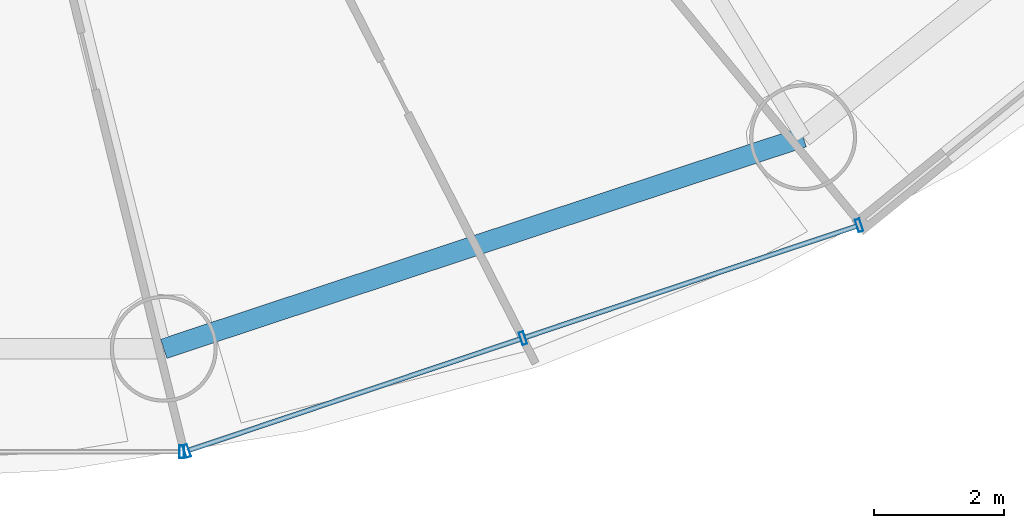
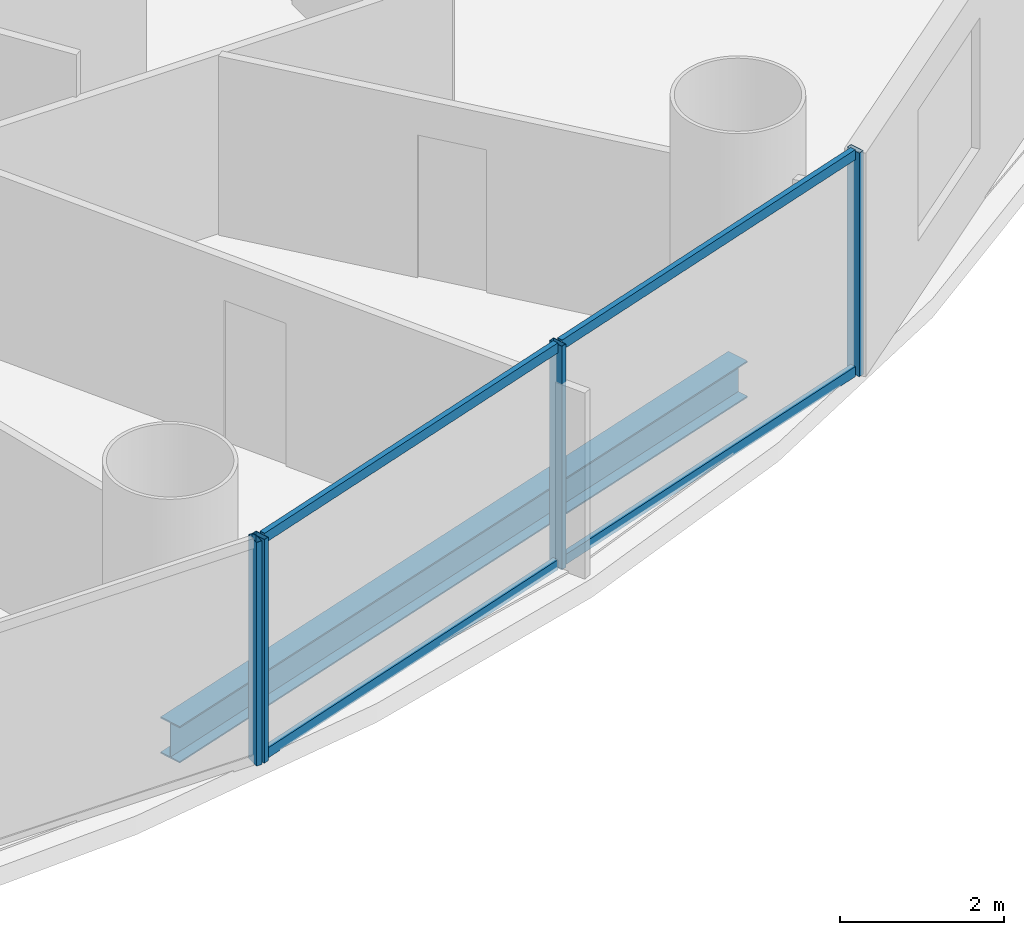
# One storey, part 11 of 30: 8 members, 1 beam, 2 elements without a shape of their own.
"""IFC4 building model written with IfcOpenShell, lengths in metres."""

from ifc_helpers import new_model, si_unit, direction, frame, origin, origin_2d, place, context, subcontext, project, spatial, hollow_rectangle, i_section, extrude, source, transform, mapped, material, material_profile, profile_set, type_object, element, aggregate, save


model = new_model("IFC4")

# Units and contexts
model_context = context("Model", 3, precision=1e-05, world=origin(), true_north=direction((-0.2419218956, 0.970295726276)))
body_context = subcontext(model_context, "Body", "Model", "MODEL_VIEW")
ifc_project = project(units=[si_unit("LENGTHUNIT", "METRE"), si_unit("AREAUNIT", "SQUARE_METRE"), si_unit("VOLUMEUNIT", "CUBIC_METRE"), si_unit("PLANEANGLEUNIT", "RADIAN"), si_unit("MASSUNIT", "GRAM", prefix="KILO")], contexts=[model_context])

# Site, building, storey
site_placement = place(None, origin())
site = spatial("IfcSite", under=ifc_project, at=site_placement, CompositionType="ELEMENT")
building_placement = place(site_placement, origin())
building = spatial("IfcBuilding", under=site, at=building_placement, Name="Cobrevalo Terracotta Tower", CompositionType="ELEMENT")
storey_placement = place(building_placement, frame((0.0, 0.0, 63.60009765625)))
storey = spatial("IfcBuildingStorey", under=building, at=storey_placement, Name="L16", CompositionType="ELEMENT", Elevation=63.60009765625)

# Beam
ifc_material_1 = material(Name="Steel S355", Category="steel")
ifc_material_profile_1 = material_profile(ifc_material_1, i_section(OverallWidth=0.31201171875, OverallDepth=0.54296875, WebThickness=0.0126953125, FlangeThickness=0.020263671875, at=origin_2d()), Name="W 530x150")
ifc_profile_set_1 = profile_set([ifc_material_profile_1], Name="Steel S355")
beam_type = type_object("IfcBeamType", Name="Structural Spandrel W 530x150 (Steel S355)", PredefinedType="SPANDREL", material=ifc_profile_set_1)
beam_placement = place(storey_placement, frame((43.335693359375, 5.369873046875, -0.551513671875), z_axis=(0.949372202648, 0.314153498848, 0.0), x_axis=(-0.314153498848, 0.949372202648, 0.0)))
element("IfcBeam", 1, at=beam_placement, inside=storey, type_object=beam_type, Name="L16 perimeter ring spandrel 13", PredefinedType="SPANDREL", context=body_context, shape_type="SweptSolid", body=[
    extrude(i_section(OverallWidth=0.31201171875, OverallDepth=0.54296875, WebThickness=0.0126953125, FlangeThickness=0.020263671875, at=origin_2d()), origin(), (0.0, 0.0, 1.0), 10.385009765625),
])

# Curtain wall, members
ifc_material_2 = material(Name="Anodized aluminium", Category="aluminium")
curtain_wall_type = type_object("IfcCurtainWallType", Name="Lower-tower unitised acoustic low-E curtain wall CW-U1", PredefinedType="NOTDEFINED", material=ifc_material_2)
curtain_wall_1_placement = place(storey_placement, origin())
curtain_wall_1 = element("IfcCurtainWall", 2, at=curtain_wall_1_placement, inside=storey, type_object=curtain_wall_type, Name="L16 curtain wall CW-L16-S13", PredefinedType="NOTDEFINED")
ifc_material_profile_2 = material_profile(ifc_material_2, hollow_rectangle(XDim=0.074951171875, YDim=0.14990234375, WallThickness=0.00439453125, at=origin_2d()), Name="CWT 75x150")
ifc_profile_set_2 = profile_set([ifc_material_profile_2], Name="Anodized aluminium")
member_type_1 = type_object("IfcMemberType", Name="Tower unitised aluminium transom 75x150", PredefinedType="USERDEFINED", material=ifc_profile_set_2)
shared_shape_1 = source(origin(), body_context, "Body", "SweptSolid", [
    extrude(hollow_rectangle(XDim=0.074951171875, YDim=0.14990234375, WallThickness=0.00439453125, at=origin_2d()), origin(), (0.0, 0.0, 1.0), 5.387939453125),
])
member_1_placement = place(storey_placement, frame((43.7275390625, 3.806396484375, 0.0498046875), z_axis=(0.94804244582, 0.318143868278, 0.0), x_axis=(-0.318143868278, 0.94804244582, 0.0)))
member_1 = element("IfcMember", 3, at=member_1_placement, type_object=member_type_1, Name="CW-L16-S13 transom B01-T1", ObjectType="TRANSOM", PredefinedType="USERDEFINED", context=body_context, shape_type="MappedRepresentation", body=[
    mapped(shared_shape_1, transform((0.0, 0.0, 0.0), scale=1.0)),
])
member_2_placement = place(storey_placement, frame((43.7275390625, 3.806396484375, 3.27001953125), z_axis=(0.94804244582, 0.318143868278, 0.0), x_axis=(-0.318143868278, 0.94804244582, 0.0)))
member_2 = element("IfcMember", 4, at=member_2_placement, type_object=member_type_1, Name="CW-L16-S13 transom B01-T2", ObjectType="TRANSOM", PredefinedType="USERDEFINED", context=body_context, shape_type="MappedRepresentation", body=[
    mapped(shared_shape_1, transform((0.0, 0.0, 0.0), scale=1.0)),
])
member_3_placement = place(storey_placement, frame((48.9111328125, 5.5458984375, 0.0498046875), z_axis=(0.94804244582, 0.318143868278, 0.0), x_axis=(-0.318143868278, 0.94804244582, 0.0)))
member_3 = element("IfcMember", 5, at=member_3_placement, type_object=member_type_1, Name="CW-L16-S13 transom B02-T1", ObjectType="TRANSOM", PredefinedType="USERDEFINED", context=body_context, shape_type="MappedRepresentation", body=[
    mapped(shared_shape_1, transform((0.0, 0.0, 0.0), scale=1.0)),
])
member_4_placement = place(storey_placement, frame((48.9111328125, 5.5458984375, 3.27001953125), z_axis=(0.94804244582, 0.318143868278, 0.0), x_axis=(-0.318143868278, 0.94804244582, 0.0)))
member_4 = element("IfcMember", 6, at=member_4_placement, type_object=member_type_1, Name="CW-L16-S13 transom B02-T2", ObjectType="TRANSOM", PredefinedType="USERDEFINED", context=body_context, shape_type="MappedRepresentation", body=[
    mapped(shared_shape_1, transform((0.0, 0.0, 0.0), scale=1.0)),
])

# Curtain wall, member
curtain_wall_2_placement = place(storey_placement, origin())
curtain_wall_2 = element("IfcCurtainWall", 7, at=curtain_wall_2_placement, inside=storey, type_object=curtain_wall_type, Name="L16 curtain wall CW-L16-S12", PredefinedType="NOTDEFINED")
ifc_material_profile_3 = material_profile(ifc_material_2, hollow_rectangle(XDim=0.074951171875, YDim=0.199951171875, WallThickness=0.0048828125, at=origin_2d()), Name="CWM 75x200")
ifc_profile_set_3 = profile_set([ifc_material_profile_3], Name="Anodized aluminium")
member_type_2 = type_object("IfcMemberType", Name="Lower/mid tower unitised mullion 75x200", PredefinedType="MULLION", material=ifc_profile_set_3)
shared_shape_2 = source(origin(), body_context, "Body", "SweptSolid", [
    extrude(hollow_rectangle(XDim=0.074951171875, YDim=0.199951171875, WallThickness=0.0048828125, at=origin_2d()), origin(), (0.0, 0.0, 1.0), 3.31982421875),
])
member_5_placement = place(storey_placement, frame((43.61181640625, 3.781005859375, 0.0), z_axis=(0.0, 0.0, 1.0), x_axis=(1.0, 0.0, 0.0)))
member_5 = element("IfcMember", 8, at=member_5_placement, type_object=member_type_2, Name="CW-L16-S12 vertical mullion 03", PredefinedType="MULLION", context=body_context, shape_type="MappedRepresentation", body=[
    mapped(shared_shape_2, transform((0.0, 0.0, 0.0), scale=1.0)),
])
aggregate(curtain_wall_2, [member_5])

# Member
member_6_placement = place(storey_placement, frame((43.689697265625, 3.793701171875, 0.0), z_axis=(0.0, 0.0, 1.0), x_axis=(0.948046393597, 0.318132103987, 0.0)))
member_6 = element("IfcMember", 9, at=member_6_placement, type_object=member_type_2, Name="CW-L16-S13 vertical mullion 01", PredefinedType="MULLION", context=body_context, shape_type="MappedRepresentation", body=[
    mapped(shared_shape_2, transform((0.0, 0.0, 0.0), scale=1.0)),
])

member_7_placement = place(storey_placement, frame((48.873291015625, 5.533203125, 0.0), z_axis=(0.0, 0.0, 1.0), x_axis=(0.948046393597, 0.318132103987, 0.0)))
member_7 = element("IfcMember", 10, at=member_7_placement, type_object=member_type_2, Name="CW-L16-S13 vertical mullion 02", PredefinedType="MULLION", context=body_context, shape_type="MappedRepresentation", body=[
    mapped(shared_shape_2, transform((0.0, 0.0, 0.0), scale=1.0)),
])

member_8_placement = place(storey_placement, frame((54.056884765625, 7.272705078125, 0.0), z_axis=(0.0, 0.0, 1.0), x_axis=(0.948046393597, 0.318132103987, 0.0)))
member_8 = element("IfcMember", 11, at=member_8_placement, type_object=member_type_2, Name="CW-L16-S13 vertical mullion 03", PredefinedType="MULLION", context=body_context, shape_type="MappedRepresentation", body=[
    mapped(shared_shape_2, transform((0.0, 0.0, 0.0), scale=1.0)),
])

aggregate(curtain_wall_1, [member_6, member_7, member_8, member_1, member_2, member_3, member_4])

save(model, "model.ifc")
